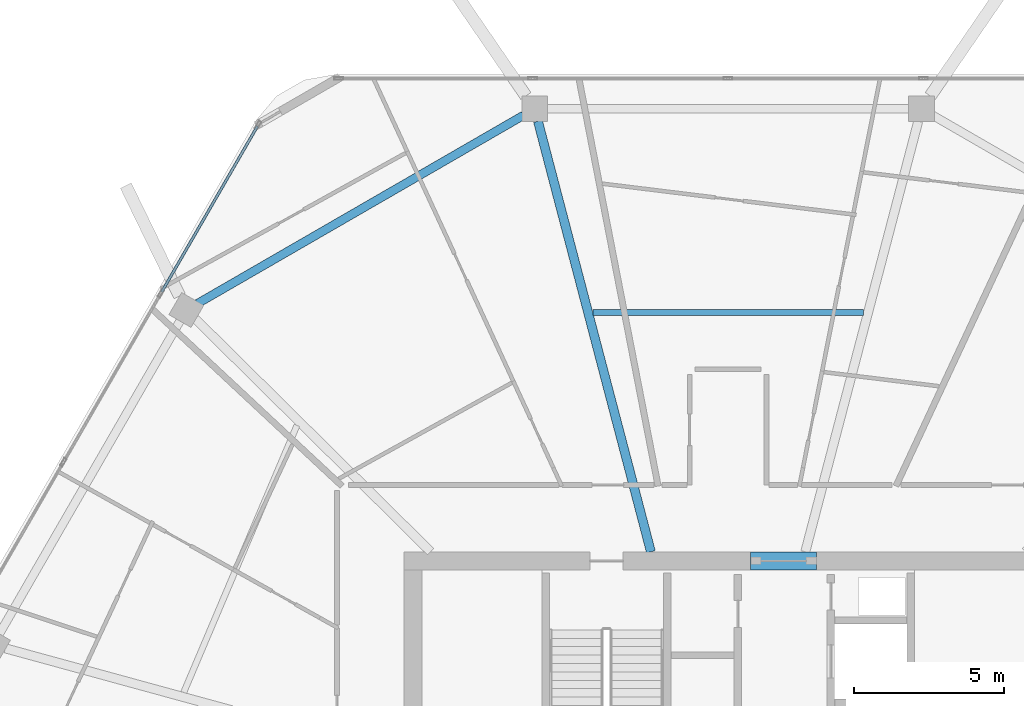
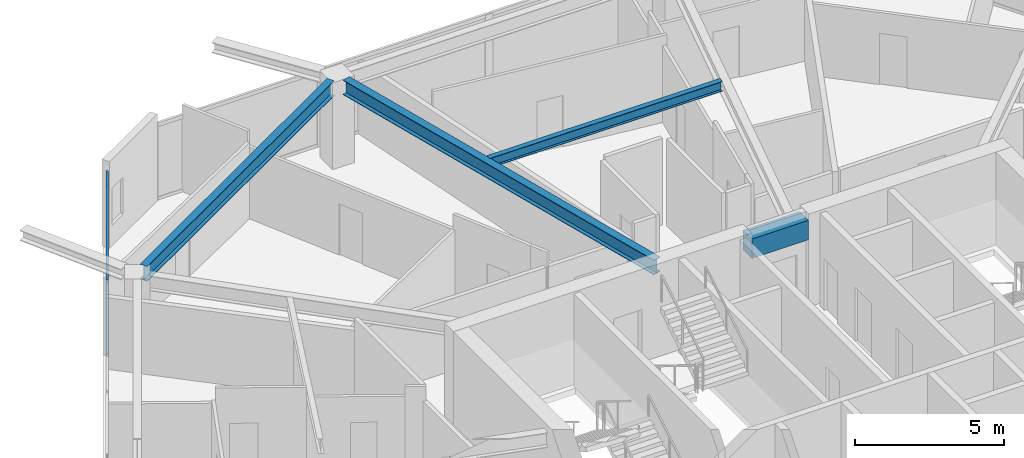
# One storey, part 12 of 26: 4 beams, 2 members, 1 element without a shape of its own.
"""IFC4 building model written with IfcOpenShell, lengths in metres."""

from ifc_helpers import new_model, si_unit, direction, frame, origin, origin_2d, place, context, subcontext, project, spatial, rectangle, hollow_rectangle, i_section, extrude, material, material_profile, profile_set, type_object, element, aggregate, save


model = new_model("IFC4")

# Units and contexts
model_context = context("Model", 3, precision=1e-05, world=origin(), true_north=direction((0.0, 1.0)))
body_context = subcontext(model_context, "Body", "Model", "MODEL_VIEW")
ifc_project = project(units=[si_unit("LENGTHUNIT", "METRE"), si_unit("AREAUNIT", "SQUARE_METRE"), si_unit("VOLUMEUNIT", "CUBIC_METRE"), si_unit("PLANEANGLEUNIT", "RADIAN"), si_unit("MASSUNIT", "GRAM", prefix="KILO")], contexts=[model_context])

# Site, building, storey
site_placement = place(None, origin())
site = spatial("IfcSite", under=ifc_project, at=site_placement, CompositionType="ELEMENT")
building_placement = place(site_placement, origin())
building = spatial("IfcBuilding", under=site, at=building_placement, Name="Zuhravey Tower", CompositionType="ELEMENT")
storey_placement = place(building_placement, frame((0.0, 0.0, 273.0)))
storey = spatial("IfcBuildingStorey", under=building, at=storey_placement, Name="L69", CompositionType="ELEMENT", Elevation=273.0)

# Beam
ifc_material_1 = material(Name="Concrete C50/60", Category="concrete")
ifc_material_profile_1 = material_profile(ifc_material_1, rectangle(XDim=0.60009765625, YDim=0.800048828125, at=origin_2d()), Name="RC-600x800")
ifc_profile_set_1 = profile_set([ifc_material_profile_1], Name="Concrete C50/60")
beam_type_1 = type_object("IfcBeamType", Name="Core Coupling Beam RC600x800", PredefinedType="LINTEL", material=ifc_profile_set_1)
beam_1_placement = place(storey_placement, frame((36.751953125, 41.5, 3.14990234375), z_axis=(1.0, 0.0, 0.0), x_axis=(0.0, 1.0, 0.0)))
element("IfcBeam", 1, at=beam_1_placement, inside=storey, type_object=beam_type_1, Name="L69 CB2 BM-L69-CB-N", PredefinedType="LINTEL", context=body_context, shape_type="SweptSolid", body=[
    extrude(rectangle(XDim=0.60009765625, YDim=0.800048828125, at=origin_2d()), origin(), (0.0, 0.0, 1.0), 2.196044921875),
])

# Curtain wall, members
ifc_material_2 = material(Name="Thermally broken anodised aluminium", Category="aluminium")
curtain_wall_type = type_object("IfcCurtainWallType", Name="Zone 3-4 High-Rise Curtain Wall CW4", PredefinedType="NOTDEFINED", material=ifc_material_2)
curtain_wall_placement = place(storey_placement, origin())
curtain_wall = element("IfcCurtainWall", 2, at=curtain_wall_placement, inside=storey, type_object=curtain_wall_type, Name="L69 CW4 CW-L69-F3-1", PredefinedType="NOTDEFINED")
ifc_material_3 = material(Name="Anodised aluminium", Category="aluminium")
ifc_material_profile_2 = material_profile(ifc_material_3, hollow_rectangle(XDim=0.090087890625, YDim=0.14990234375, WallThickness=0.0048828125, at=origin_2d()), Name="ALU-RHS-90x150x5")
ifc_profile_set_2 = profile_set([ifc_material_profile_2], Name="Anodised aluminium")
member_type = type_object("IfcMemberType", Name="Curtain-Wall Transom 90x150", PredefinedType="USERDEFINED", material=ifc_profile_set_2)
member_1_placement = place(storey_placement, frame((17.136962890625, 50.455322265625, 0.044921875), z_axis=(0.499980071345, 0.866036909293, 0.0), x_axis=(-0.866036909293, 0.499980071345, 0.0)))
member_1 = element("IfcMember", 3, at=member_1_placement, type_object=member_type, Name="CW4 transom 4.1", ObjectType="TRANSOM", PredefinedType="USERDEFINED", context=body_context, shape_type="SweptSolid", body=[
    extrude(hollow_rectangle(XDim=0.090087890625, YDim=0.14990234375, WallThickness=0.0048828125, at=origin_2d()), origin(), (0.0, 0.0, 1.0), 6.371337890625),
])
member_2_placement = place(storey_placement, frame((17.136962890625, 50.455322265625, 3.076904296875), z_axis=(0.499980071345, 0.866036909293, 0.0), x_axis=(-0.866036909293, 0.499980071345, 0.0)))
member_2 = element("IfcMember", 4, at=member_2_placement, type_object=member_type, Name="CW4 transom 4.2", ObjectType="TRANSOM", PredefinedType="USERDEFINED", context=body_context, shape_type="SweptSolid", body=[
    extrude(hollow_rectangle(XDim=0.090087890625, YDim=0.14990234375, WallThickness=0.0048828125, at=origin_2d()), origin(), (0.0, 0.0, 1.0), 6.371337890625),
])
aggregate(curtain_wall, [member_1, member_2])

# Beams
ifc_material_4 = material(Name="Steel SM355", Category="steel")
ifc_material_profile_3 = material_profile(ifc_material_4, i_section(OverallWidth=0.280029296875, OverallDepth=0.6201171875, WebThickness=0.011962890625, FlangeThickness=0.02001953125, at=origin_2d()), Name="H-620x280x12x20")
ifc_profile_set_3 = profile_set([ifc_material_profile_3], Name="Steel SM355")
beam_type_2 = type_object("IfcBeamType", Name="Perimeter Ring Beam H620x280", PredefinedType="BEAM", material=ifc_profile_set_3)
beam_2_placement = place(storey_placement, frame((29.1884765625, 56.339599609375, 3.239990234375), z_axis=(-0.866018312875, -0.500012281615, 0.0), x_axis=(0.500012281615, -0.866018312875, 0.0)))
element("IfcBeam", 5, at=beam_2_placement, inside=storey, type_object=beam_type_2, Name="L69 PB3 BM-L69-PB-04", PredefinedType="BEAM", context=body_context, shape_type="SweptSolid", body=[
    extrude(i_section(OverallWidth=0.280029296875, OverallDepth=0.6201171875, WebThickness=0.011962890625, FlangeThickness=0.02001953125, at=origin_2d()), origin(), (0.0, 0.0, 1.0), 12.541748046875),
])
ifc_material_profile_4 = material_profile(ifc_material_4, i_section(OverallWidth=0.300048828125, OverallDepth=0.60009765625, WebThickness=0.011962890625, FlangeThickness=0.02001953125, at=origin_2d()), Name="H-600x300x12x20")
ifc_profile_set_4 = profile_set([ifc_material_profile_4], Name="Steel SM355")
beam_type_3 = type_object("IfcBeamType", Name="Radial Primary Girder H600x300", PredefinedType="BEAM", material=ifc_profile_set_4)
beam_3_placement = place(storey_placement, frame((33.428466796875, 41.802978515625, 3.25), z_axis=(-0.25373188956, 0.967274587809, 0.0), x_axis=(-0.967274587809, -0.25373188956, 0.0)))
element("IfcBeam", 6, at=beam_3_placement, inside=storey, type_object=beam_type_3, Name="L69 RG3 BM-L69-RAD-04", PredefinedType="BEAM", context=body_context, shape_type="SweptSolid", body=[
    extrude(i_section(OverallWidth=0.300048828125, OverallDepth=0.60009765625, WebThickness=0.011962890625, FlangeThickness=0.02001953125, at=origin_2d()), origin(), (0.0, 0.0, 1.0), 14.82177734375),
])
ifc_material_profile_5 = material_profile(ifc_material_4, i_section(OverallWidth=0.199951171875, OverallDepth=0.39990234375, WebThickness=0.008056640625, FlangeThickness=0.012939453125, at=origin_2d()), Name="H-400x200x8x13")
ifc_profile_set_5 = profile_set([ifc_material_profile_5], Name="Steel SM355")
beam_type_4 = type_object("IfcBeamType", Name="Secondary Floor Joist H400x200", PredefinedType="JOIST", material=ifc_profile_set_5)
beam_4_placement = place(storey_placement, frame((40.507080078125, 49.768310546875, 3.35009765625), z_axis=(-1.0, 0.0, 0.0), x_axis=(0.0, -1.0, 0.0)))
element("IfcBeam", 7, at=beam_4_placement, inside=storey, type_object=beam_type_4, Name="L69 SJ2 BM-L69-SJ-03-1", PredefinedType="JOIST", context=body_context, shape_type="SweptSolid", body=[
    extrude(i_section(OverallWidth=0.199951171875, OverallDepth=0.39990234375, WebThickness=0.008056640625, FlangeThickness=0.012939453125, at=origin_2d()), origin(), (0.0, 0.0, 1.0), 9.01416015625),
])

save(model, "model.ifc")
